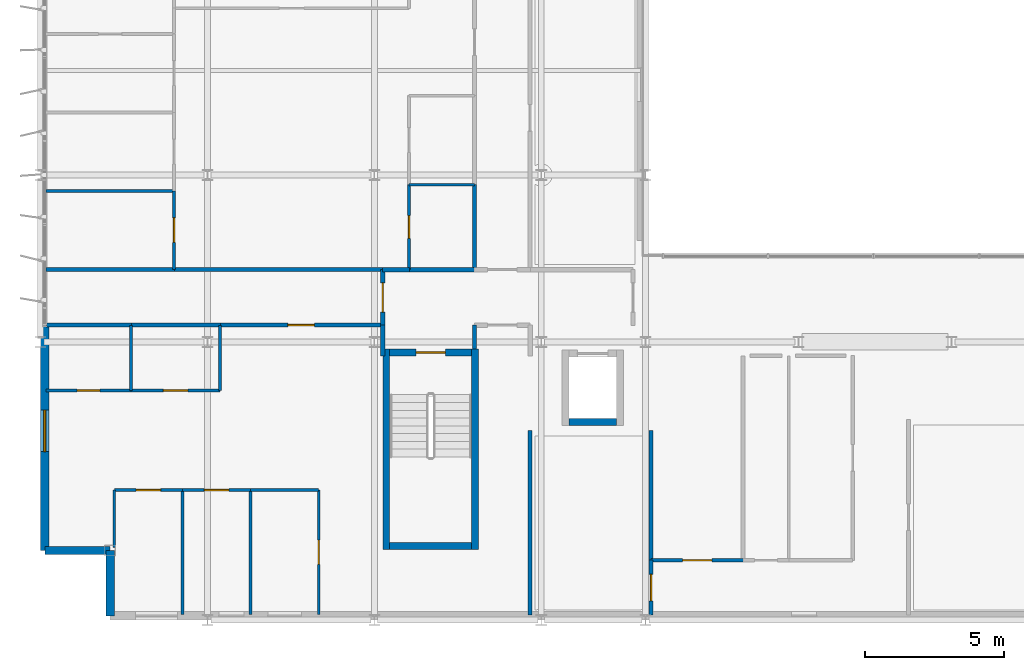
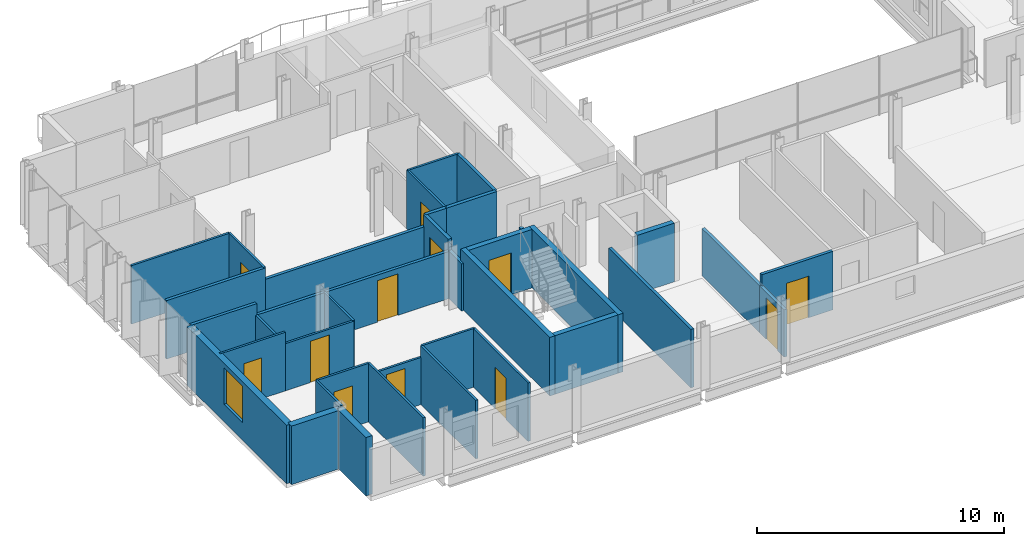
# One storey, part 28 of 38: 38 walls, 12 doors, 1 window, 13 openings.
"""IFC4 building model written with IfcOpenShell, lengths in metres."""

from ifc_helpers import new_model, si_unit, direction, frame, frame_2d, origin, place, context, subcontext, project, spatial, rectangle, extrude, material, layer, layer_set, type_object, element, fill, save


model = new_model("IFC4")

# Units and contexts
model_context = context("Model", 3, precision=1e-05, world=origin(), true_north=direction((0.0, 1.0)))
body_context = subcontext(model_context, "Body", "Model", "MODEL_VIEW")
ifc_project = project(units=[si_unit("LENGTHUNIT", "METRE"), si_unit("AREAUNIT", "SQUARE_METRE"), si_unit("VOLUMEUNIT", "CUBIC_METRE"), si_unit("PLANEANGLEUNIT", "RADIAN"), si_unit("MASSUNIT", "GRAM", prefix="KILO")], contexts=[model_context])

# Site, building, storey
site_placement = place(None, origin())
site = spatial("IfcSite", under=ifc_project, at=site_placement, CompositionType="ELEMENT")
building_placement = place(site_placement, origin())
building = spatial("IfcBuilding", under=site, at=building_placement, Name="Brevholm Reach", CompositionType="ELEMENT")
storey_placement = place(building_placement, frame((0.0, 0.0, 186.300048828125)))
storey = spatial("IfcBuildingStorey", under=building, at=storey_placement, Name="L56", CompositionType="ELEMENT", Elevation=186.300048828125)

# Walls
ifc_material_1 = material(Name="Concrete C45/55", Category="concrete")
ifc_layer_1 = layer(ifc_material_1, 0.239990234375)
ifc_layer_set_1 = layer_set([ifc_layer_1], Name="Concrete C45/55")
wall_type_1 = type_object("IfcWallType", Name="WAL-COR-240", PredefinedType="SHEAR", material=ifc_layer_set_1)
for number, where, z_axis, x_axis, name in (
    (1, (12.429931640625, 2.5400390625, 0.0), (0.0, 0.0, 1.0), (0.0, 1.0, 0.0), "L56 Escape Stair ST-1 Core Wall W"),
    (2, (15.6201171875, 2.5400390625, 0.0), (0.0, 0.0, 1.0), (0.0, 1.0, 0.0), "L56 Escape Stair ST-1 Core Wall E"),
):
    element("IfcWall", number, at=place(storey_placement, frame(where, z_axis=z_axis, x_axis=x_axis)), inside=storey, type_object=wall_type_1, Name=name, PredefinedType="SHEAR", context=body_context, shape_type="SweptSolid", body=[
        extrude(rectangle(XDim=7.199951171875, YDim=0.239990234375, at=frame_2d((3.60009765625, 0.0))), origin(), (0.0, 0.0, 1.0), 2.889892578125),
    ])
wall_1_placement = place(storey_placement, frame((12.550048828125, 2.659912109375, 0.0), z_axis=(0.0, 0.0, 1.0), x_axis=(1.0, 0.0, 0.0)))
element("IfcWall", 3, at=wall_1_placement, inside=storey, type_object=wall_type_1, Name="L56 Escape Stair ST-1 Core Wall S", PredefinedType="SHEAR", context=body_context, shape_type="SweptSolid", body=[
    extrude(rectangle(XDim=2.949951171875, YDim=0.239990234375, at=frame_2d((1.47509765625, 0.0))), origin(), (0.0, 0.0, 1.0), 2.889892578125),
])

# Wall, opening, door
wall_2_placement = place(storey_placement, frame((15.5, 9.6201171875, 0.0), z_axis=(0.0, 0.0, 1.0), x_axis=(-1.0, 0.0, 0.0)))
wall_2 = element("IfcWall", 4, at=wall_2_placement, inside=storey, type_object=wall_type_1, Name="L56 Escape Stair ST-1 Core Wall N", PredefinedType="SHEAR", context=body_context, shape_type="SweptSolid", body=[
    extrude(rectangle(XDim=2.949951171875, YDim=0.239990234375, at=frame_2d((1.47509765625, 0.0))), origin(), (0.0, 0.0, 1.0), 2.889892578125),
])
opening_1_placement = place(wall_2_placement, frame((0.949951171875, 0.0, 0.0)))
opening_1 = element("IfcOpeningElement", 5, at=opening_1_placement, cuts=wall_2, Name="Opening SD-ST-1", PredefinedType="OPENING", context=body_context, shape_type="SweptSolid", body=[
    extrude(rectangle(XDim=1.050048828125, YDim=2.06005859375, at=frame_2d((0.52490234375, 1.030029296875))), frame((0.0, 0.1298828125, 0.0), z_axis=(0.0, -1.0, 0.0), x_axis=(1.0, 0.0, 0.0)), (0.0, 0.0, 1.0), 0.260009765625),
])
ifc_material_2 = material(Name="Hardwood-Lipped Steel-Core Fire and Smoke Door", Category="steel")
door_type_1 = type_object("IfcDoorType", Name="DOR-INT-FD60S", OperationType="NOTDEFINED", PredefinedType="DOOR", material=ifc_material_2)
door_1_placement = place(opening_1_placement, origin())
door_1 = element("IfcDoor", 6, at=door_1_placement, inside=storey, type_object=door_type_1, Name="L56 Protected Stair ST-1 Lobby Door", OperationType="SINGLE_SWING_RIGHT", OverallHeight=2.06005859375, OverallWidth=1.050048828125, PredefinedType="DOOR", context=body_context, shape_type="SweptSolid", body=[
    extrude(rectangle(XDim=1.050048828125, YDim=2.06005859375, at=frame_2d((0.52490234375, 1.030029296875))), frame((0.0, 0.02490234375, 0.0), z_axis=(0.0, -1.0, 0.0), x_axis=(1.0, 0.0, 0.0)), (0.0, 0.0, 1.0), 0.050048828125),
])
fill(opening_1, door_1)

# Walls
wall_3_placement = place(storey_placement, frame((18.989990234375, 7.1201171875, 0.0), z_axis=(0.0, 0.0, 1.0), x_axis=(1.0, 0.0, 0.0)))
element("IfcWall", 7, at=wall_3_placement, inside=storey, type_object=wall_type_1, Name="L56 Lift FFL-1 Shaft Wall S", PredefinedType="SHEAR", context=body_context, shape_type="SweptSolid", body=[
    extrude(rectangle(XDim=1.719970703125, YDim=0.239990234375, at=frame_2d((0.85986328125, 0.0))), origin(), (0.0, 0.0, 1.0), 2.889892578125),
])
ifc_material_3 = material(Name="Concrete C40/50", Category="concrete")
ifc_layer_2 = layer(ifc_material_3, 0.300048828125)
ifc_layer_set_2 = layer_set([ifc_layer_2], Name="Concrete C40/50")
wall_type_2 = type_object("IfcWallType", Name="WAL-EXT-300", PredefinedType="STANDARD", material=ifc_layer_set_2)
for number, where, z_axis, x_axis, name in (
    (8, (2.5, 2.5, 0.0), (0.0, 0.0, 1.0), (0.0, -1.0, 0.0), "L56 Facade Wall WAL-L56-CSW1"),
    (9, (0.14990234375, 2.5, 0.0), (0.0, 0.0, 1.0), (1.0, 0.0, 0.0), "L56 Facade Wall WAL-L56-CSW2"),
):
    element("IfcWall", number, at=place(storey_placement, frame(where, z_axis=z_axis, x_axis=x_axis)), inside=storey, type_object=wall_type_2, Name=name, PredefinedType="STANDARD", context=body_context, shape_type="SweptSolid", body=[
        extrude(rectangle(XDim=2.35009765625, YDim=0.300048828125, at=frame_2d((1.175048828125, 0.0))), origin(), (0.0, 0.0, 1.0), 2.889892578125),
    ])

# Wall, opening, window
wall_4_placement = place(storey_placement, frame((0.14990234375, 10.550048828125, 0.0), z_axis=(0.0, 0.0, 1.0), x_axis=(0.0, -1.0, 0.0)))
wall_4 = element("IfcWall", 10, at=wall_4_placement, inside=storey, type_object=wall_type_2, Name="L56 Facade Wall WAL-L56-W-S", PredefinedType="STANDARD", context=body_context, shape_type="SweptSolid", body=[
    extrude(rectangle(XDim=8.050048828125, YDim=0.300048828125, at=frame_2d((4.02490234375, 0.0))), origin(), (0.0, 0.0, 1.0), 2.889892578125),
])
opening_2_placement = place(wall_4_placement, frame((3.0, 0.0, 0.8701171875)))
opening_2 = element("IfcOpeningElement", 11, at=opening_2_placement, cuts=wall_4, Name="Opening WN-05", PredefinedType="OPENING", context=body_context, shape_type="SweptSolid", body=[
    extrude(rectangle(XDim=1.5, YDim=1.800048828125, at=frame_2d((0.75, 0.89990234375))), frame((0.0, 0.159912109375, 0.0), z_axis=(0.0, -1.0, 0.0), x_axis=(1.0, 0.0, 0.0)), (0.0, 0.0, 1.0), 0.320068359375),
])
ifc_material_4 = material(Name="Dark Anodised Aluminium and Solar-Control IGU Glass", Category="aluminium")
window_type = type_object("IfcWindowType", Name="WIN-RES-1500", PartitioningType="SINGLE_PANEL", PredefinedType="WINDOW", material=ifc_material_4)
window_placement = place(opening_2_placement, origin())
window = element("IfcWindow", 12, at=window_placement, inside=storey, type_object=window_type, Name="L56 Window WIN-L56-WS-1", OverallHeight=1.800048828125, OverallWidth=1.5, PartitioningType="SINGLE_PANEL", PredefinedType="WINDOW", context=body_context, shape_type="SweptSolid", body=[
    extrude(rectangle(XDim=1.5, YDim=1.800048828125, at=frame_2d((0.75, 0.89990234375))), frame((0.0, 0.030029296875, 0.0), z_axis=(0.0, -1.0, 0.0), x_axis=(1.0, 0.0, 0.0)), (0.0, 0.0, 1.0), 0.06005859375),
])
fill(opening_2, window)

# Wall
ifc_material_5 = material(Name="Moisture-Resistant Acoustic Gypsum Stud Partition 100 mm", Category="gypsum")
ifc_layer_3 = layer(ifc_material_5, 0.10009765625)
ifc_layer_set_3 = layer_set([ifc_layer_3], Name="Moisture-Resistant Acoustic Gypsum Stud Partition 100 mm")
wall_type_3 = type_object("IfcWallType", Name="WAL-PRT-100", PredefinedType="PARTITIONING", material=ifc_layer_set_3)
wall_5_placement = place(storey_placement, frame((3.25, 8.25, 0.0), z_axis=(0.0, 0.0, 1.0), x_axis=(0.0, 1.0, 0.0)))
element("IfcWall", 13, at=wall_5_placement, inside=storey, type_object=wall_type_3, Name="L56 Internal Partition 059", PredefinedType="PARTITIONING", context=body_context, shape_type="SweptSolid", body=[
    extrude(rectangle(XDim=2.345947265625, YDim=0.10009765625, at=frame_2d((1.1728515625, 0.0))), origin(), (0.0, 0.0, 1.0), 2.325439453125),
])

# Wall, opening, door
wall_6_placement = place(storey_placement, frame((0.199951171875, 8.25, 0.0), z_axis=(0.0, 0.0, 1.0), x_axis=(1.0, 0.0, 0.0)))
wall_6 = element("IfcWall", 14, at=wall_6_placement, inside=storey, type_object=wall_type_3, Name="L56 Internal Partition 060", PredefinedType="PARTITIONING", context=body_context, shape_type="SweptSolid", body=[
    extrude(rectangle(XDim=3.050048828125, YDim=0.10009765625, at=frame_2d((1.52490234375, 0.0))), origin(), (0.0, 0.0, 1.0), 2.889892578125),
])
opening_3_placement = place(wall_6_placement, frame((1.114990234375, 0.0, 0.0)))
opening_3 = element("IfcOpeningElement", 15, at=opening_3_placement, cuts=wall_6, Name="Opening ID-03", PredefinedType="OPENING", context=body_context, shape_type="SweptSolid", body=[
    extrude(rectangle(XDim=0.820068359375, YDim=2.02001953125, at=frame_2d((0.41015625, 1.010009765625))), frame((0.0, 0.06005859375, 0.0), z_axis=(0.0, -1.0, 0.0), x_axis=(1.0, 0.0, 0.0)), (0.0, 0.0, 1.0), 0.1201171875),
])
ifc_material_6 = material(Name="Moisture-Resistant Painted Timber Internal Bathroom Door", Category="wood")
door_type_2 = type_object("IfcDoorType", Name="DOR-BATH-820", OperationType="NOTDEFINED", PredefinedType="DOOR", material=ifc_material_6)
door_2_placement = place(opening_3_placement, origin())
door_2 = element("IfcDoor", 16, at=door_2_placement, inside=storey, type_object=door_type_2, Name="L56 Internal Door 027", OperationType="SINGLE_SWING_RIGHT", OverallHeight=2.02001953125, OverallWidth=0.820068359375, PredefinedType="DOOR", context=body_context, shape_type="SweptSolid", body=[
    extrude(rectangle(XDim=0.820068359375, YDim=2.02001953125, at=frame_2d((0.41015625, 1.010009765625))), frame((0.0, 0.02490234375, 0.0), z_axis=(0.0, -1.0, 0.0), x_axis=(1.0, 0.0, 0.0)), (0.0, 0.0, 1.0), 0.050048828125),
])
fill(opening_3, door_2)

wall_7_placement = place(storey_placement, frame((3.25390625, 8.25, 0.0), z_axis=(0.0, 0.0, 1.0), x_axis=(1.0, 0.0, 0.0)))
wall_7 = element("IfcWall", 17, at=wall_7_placement, inside=storey, type_object=wall_type_3, Name="L56 Internal Partition 061", PredefinedType="PARTITIONING", context=body_context, shape_type="SweptSolid", body=[
    extrude(rectangle(XDim=3.196044921875, YDim=0.10009765625, at=frame_2d((1.59814453125, 0.0))), origin(), (0.0, 0.0, 1.0), 2.325439453125),
])
opening_4_placement = place(wall_7_placement, frame((1.157958984375, 0.0, 0.0)))
opening_4 = element("IfcOpeningElement", 18, at=opening_4_placement, cuts=wall_7, Name="Opening ID-01", PredefinedType="OPENING", context=body_context, shape_type="SweptSolid", body=[
    extrude(rectangle(XDim=0.8798828125, YDim=2.0400390625, at=frame_2d((0.43994140625, 1.02001953125))), frame((0.0, 0.06005859375, 0.0), z_axis=(0.0, -1.0, 0.0), x_axis=(1.0, 0.0, 0.0)), (0.0, 0.0, 1.0), 0.1201171875),
])
ifc_material_7 = material(Name="Lacquered Ash Solid-Core Acoustic Internal Door", Category="timber")
door_type_3 = type_object("IfcDoorType", Name="DOR-INT-880", OperationType="NOTDEFINED", PredefinedType="DOOR", material=ifc_material_7)
door_3_placement = place(opening_4_placement, origin())
door_3 = element("IfcDoor", 19, at=door_3_placement, inside=storey, type_object=door_type_3, Name="L56 Internal Door 028", OperationType="SINGLE_SWING_LEFT", OverallHeight=2.0400390625, OverallWidth=0.8798828125, PredefinedType="DOOR", context=body_context, shape_type="SweptSolid", body=[
    extrude(rectangle(XDim=0.8798828125, YDim=2.0400390625, at=frame_2d((0.43994140625, 1.02001953125))), frame((0.0, 0.02490234375, 0.0), z_axis=(0.0, -1.0, 0.0), x_axis=(1.0, 0.0, 0.0)), (0.0, 0.0, 1.0), 0.050048828125),
])
fill(opening_4, door_3)

# Walls
wall_8_placement = place(storey_placement, frame((6.449951171875, 8.25, 0.0), z_axis=(0.0, 0.0, 1.0), x_axis=(0.0, 1.0, 0.0)))
element("IfcWall", 20, at=wall_8_placement, inside=storey, type_object=wall_type_3, Name="L56 Internal Partition 062", PredefinedType="PARTITIONING", context=body_context, shape_type="SweptSolid", body=[
    extrude(rectangle(XDim=2.345947265625, YDim=0.10009765625, at=frame_2d((1.1728515625, 0.0))), origin(), (0.0, 0.0, 1.0), 2.325439453125),
])
wall_9_placement = place(storey_placement, frame((5.10009765625, 0.199951171875, 0.0), z_axis=(0.0, 0.0, 1.0), x_axis=(0.0, 1.0, 0.0)))
element("IfcWall", 21, at=wall_9_placement, inside=storey, type_object=wall_type_3, Name="L56 Internal Partition 063", PredefinedType="PARTITIONING", context=body_context, shape_type="SweptSolid", body=[
    extrude(rectangle(XDim=4.47216796875, YDim=0.10009765625, at=frame_2d((2.236083984375, 0.0))), origin(), (0.0, 0.0, 1.0), 2.889892578125),
])
wall_10_placement = place(storey_placement, frame((2.64990234375, 2.599365234375, 0.0), z_axis=(0.0, 0.0, 1.0), x_axis=(0.0, 1.0, 0.0)))
element("IfcWall", 22, at=wall_10_placement, inside=storey, type_object=wall_type_3, Name="L56 Internal Partition 064", PredefinedType="PARTITIONING", context=body_context, shape_type="SweptSolid", body=[
    extrude(rectangle(XDim=2.07275390625, YDim=0.10009765625, at=frame_2d((1.036376953125, 0.0))), origin(), (0.0, 0.0, 1.0), 2.889892578125),
])

# Wall, opening, door
wall_11_placement = place(storey_placement, frame((2.64990234375, 4.672119140625, 0.0), z_axis=(0.0, 0.0, 1.0), x_axis=(1.0, 0.0, 0.0)))
wall_11 = element("IfcWall", 23, at=wall_11_placement, inside=storey, type_object=wall_type_3, Name="L56 Internal Partition 065", PredefinedType="PARTITIONING", context=body_context, shape_type="SweptSolid", body=[
    extrude(rectangle(XDim=2.4501953125, YDim=0.10009765625, at=frame_2d((1.22509765625, 0.0))), origin(), (0.0, 0.0, 1.0), 2.889892578125),
])
opening_5_placement = place(wall_11_placement, frame((0.784912109375, 0.0, 0.0)))
opening_5 = element("IfcOpeningElement", 24, at=opening_5_placement, cuts=wall_11, Name="Opening ID-01", PredefinedType="OPENING", context=body_context, shape_type="SweptSolid", body=[
    extrude(rectangle(XDim=0.8798828125, YDim=2.0400390625, at=frame_2d((0.43994140625, 1.02001953125))), frame((0.0, 0.06005859375, 0.0), z_axis=(0.0, -1.0, 0.0), x_axis=(1.0, 0.0, 0.0)), (0.0, 0.0, 1.0), 0.1201171875),
])
door_4_placement = place(opening_5_placement, origin())
door_4 = element("IfcDoor", 25, at=door_4_placement, inside=storey, type_object=door_type_3, Name="L56 Internal Door 029", OperationType="SINGLE_SWING_RIGHT", OverallHeight=2.0400390625, OverallWidth=0.8798828125, PredefinedType="DOOR", context=body_context, shape_type="SweptSolid", body=[
    extrude(rectangle(XDim=0.8798828125, YDim=2.0400390625, at=frame_2d((0.43994140625, 1.02001953125))), frame((0.0, 0.02490234375, 0.0), z_axis=(0.0, -1.0, 0.0), x_axis=(1.0, 0.0, 0.0)), (0.0, 0.0, 1.0), 0.050048828125),
])
fill(opening_5, door_4)

# Wall
wall_12_placement = place(storey_placement, frame((7.550048828125, 0.199951171875, 0.0), z_axis=(0.0, 0.0, 1.0), x_axis=(0.0, 1.0, 0.0)))
element("IfcWall", 26, at=wall_12_placement, inside=storey, type_object=wall_type_3, Name="L56 Internal Partition 066", PredefinedType="PARTITIONING", context=body_context, shape_type="SweptSolid", body=[
    extrude(rectangle(XDim=4.47216796875, YDim=0.10009765625, at=frame_2d((2.236083984375, 0.0))), origin(), (0.0, 0.0, 1.0), 2.889892578125),
])

# Wall, opening, door
wall_13_placement = place(storey_placement, frame((5.10400390625, 4.672119140625, 0.0), z_axis=(0.0, 0.0, 1.0), x_axis=(1.0, 0.0, 0.0)))
wall_13 = element("IfcWall", 27, at=wall_13_placement, inside=storey, type_object=wall_type_3, Name="L56 Internal Partition 067", PredefinedType="PARTITIONING", context=body_context, shape_type="SweptSolid", body=[
    extrude(rectangle(XDim=2.446044921875, YDim=0.10009765625, at=frame_2d((1.22314453125, 0.0))), origin(), (0.0, 0.0, 1.0), 2.325439453125),
])
opening_6_placement = place(wall_13_placement, frame((0.782958984375, 0.0, 0.0)))
opening_6 = element("IfcOpeningElement", 28, at=opening_6_placement, cuts=wall_13, Name="Opening ID-01", PredefinedType="OPENING", context=body_context, shape_type="SweptSolid", body=[
    extrude(rectangle(XDim=0.8798828125, YDim=2.0400390625, at=frame_2d((0.43994140625, 1.02001953125))), frame((0.0, 0.06005859375, 0.0), z_axis=(0.0, -1.0, 0.0), x_axis=(1.0, 0.0, 0.0)), (0.0, 0.0, 1.0), 0.1201171875),
])
door_5_placement = place(opening_6_placement, origin())
door_5 = element("IfcDoor", 29, at=door_5_placement, inside=storey, type_object=door_type_3, Name="L56 Internal Door 030", OperationType="SINGLE_SWING_LEFT", OverallHeight=2.0400390625, OverallWidth=0.8798828125, PredefinedType="DOOR", context=body_context, shape_type="SweptSolid", body=[
    extrude(rectangle(XDim=0.8798828125, YDim=2.0400390625, at=frame_2d((0.43994140625, 1.02001953125))), frame((0.0, 0.02490234375, 0.0), z_axis=(0.0, -1.0, 0.0), x_axis=(1.0, 0.0, 0.0)), (0.0, 0.0, 1.0), 0.050048828125),
])
fill(opening_6, door_5)

wall_14_placement = place(storey_placement, frame((10.0, 0.199951171875, 0.0), z_axis=(0.0, 0.0, 1.0), x_axis=(0.0, 1.0, 0.0)))
wall_14 = element("IfcWall", 30, at=wall_14_placement, inside=storey, type_object=wall_type_3, Name="L56 Internal Partition 068", PredefinedType="PARTITIONING", context=body_context, shape_type="SweptSolid", body=[
    extrude(rectangle(XDim=4.47216796875, YDim=0.10009765625, at=frame_2d((2.236083984375, 0.0))), origin(), (0.0, 0.0, 1.0), 2.889892578125),
])
opening_7_placement = place(wall_14_placement, frame((1.7958984375, 0.0, 0.0)))
opening_7 = element("IfcOpeningElement", 31, at=opening_7_placement, cuts=wall_14, Name="Opening ID-01", PredefinedType="OPENING", context=body_context, shape_type="SweptSolid", body=[
    extrude(rectangle(XDim=0.8798828125, YDim=2.0400390625, at=frame_2d((0.43994140625, 1.02001953125))), frame((0.0, 0.06005859375, 0.0), z_axis=(0.0, -1.0, 0.0), x_axis=(1.0, 0.0, 0.0)), (0.0, 0.0, 1.0), 0.1201171875),
])
door_6_placement = place(opening_7_placement, origin())
door_6 = element("IfcDoor", 32, at=door_6_placement, inside=storey, type_object=door_type_3, Name="L56 Internal Door 031", OperationType="SINGLE_SWING_RIGHT", OverallHeight=2.0400390625, OverallWidth=0.8798828125, PredefinedType="DOOR", context=body_context, shape_type="SweptSolid", body=[
    extrude(rectangle(XDim=0.8798828125, YDim=2.0400390625, at=frame_2d((0.43994140625, 1.02001953125))), frame((0.0, 0.02490234375, 0.0), z_axis=(0.0, -1.0, 0.0), x_axis=(1.0, 0.0, 0.0)), (0.0, 0.0, 1.0), 0.050048828125),
])
fill(opening_7, door_6)

# Walls
wall_15_placement = place(storey_placement, frame((7.553955078125, 4.672119140625, 0.0), z_axis=(0.0, 0.0, 1.0), x_axis=(1.0, 0.0, 0.0)))
element("IfcWall", 33, at=wall_15_placement, inside=storey, type_object=wall_type_3, Name="L56 Internal Partition 069", PredefinedType="PARTITIONING", context=body_context, shape_type="SweptSolid", body=[
    extrude(rectangle(XDim=2.446044921875, YDim=0.10009765625, at=frame_2d((1.22314453125, 0.0))), origin(), (0.0, 0.0, 1.0), 2.889892578125),
])
wall_16_placement = place(storey_placement, frame((13.25, 15.64990234375, 0.0), z_axis=(0.0, 0.0, 1.0), x_axis=(1.0, 0.0, 0.0)))
element("IfcWall", 34, at=wall_16_placement, inside=storey, type_object=wall_type_3, Name="L56 Internal Partition 070", PredefinedType="PARTITIONING", context=body_context, shape_type="SweptSolid", body=[
    extrude(rectangle(XDim=2.345947265625, YDim=0.10009765625, at=frame_2d((1.1728515625, 0.0))), origin(), (0.0, 0.0, 1.0), 2.889892578125),
])

# Wall, opening, door
wall_17_placement = place(storey_placement, frame((13.25, 12.60400390625, 0.0), z_axis=(0.0, 0.0, 1.0), x_axis=(0.0, 1.0, 0.0)))
wall_17 = element("IfcWall", 35, at=wall_17_placement, inside=storey, type_object=wall_type_3, Name="L56 Internal Partition 071", PredefinedType="PARTITIONING", context=body_context, shape_type="SweptSolid", body=[
    extrude(rectangle(XDim=3.0458984375, YDim=0.10009765625, at=frame_2d((1.52294921875, 0.0))), origin(), (0.0, 0.0, 1.0), 2.889892578125),
])
opening_8_placement = place(wall_17_placement, frame((1.113037109375, 0.0, 0.0)))
opening_8 = element("IfcOpeningElement", 36, at=opening_8_placement, cuts=wall_17, Name="Opening ID-03", PredefinedType="OPENING", context=body_context, shape_type="SweptSolid", body=[
    extrude(rectangle(XDim=0.820068359375, YDim=2.02001953125, at=frame_2d((0.41015625, 1.010009765625))), frame((0.0, 0.06005859375, 0.0), z_axis=(0.0, -1.0, 0.0), x_axis=(1.0, 0.0, 0.0)), (0.0, 0.0, 1.0), 0.1201171875),
])
door_7_placement = place(opening_8_placement, origin())
door_7 = element("IfcDoor", 37, at=door_7_placement, inside=storey, type_object=door_type_2, Name="L56 Internal Door 032", OperationType="SINGLE_SWING_LEFT", OverallHeight=2.02001953125, OverallWidth=0.820068359375, PredefinedType="DOOR", context=body_context, shape_type="SweptSolid", body=[
    extrude(rectangle(XDim=0.820068359375, YDim=2.02001953125, at=frame_2d((0.41015625, 1.010009765625))), frame((0.0, 0.02490234375, 0.0), z_axis=(0.0, -1.0, 0.0), x_axis=(1.0, 0.0, 0.0)), (0.0, 0.0, 1.0), 0.050048828125),
])
fill(opening_8, door_7)

# Wall
wall_18_placement = place(storey_placement, frame((0.199951171875, 15.425048828125, 0.0), z_axis=(0.0, 0.0, 1.0), x_axis=(1.0, 0.0, 0.0)))
element("IfcWall", 38, at=wall_18_placement, inside=storey, type_object=wall_type_3, Name="L56 Internal Partition 077", PredefinedType="PARTITIONING", context=body_context, shape_type="SweptSolid", body=[
    extrude(rectangle(XDim=4.60009765625, YDim=0.10009765625, at=frame_2d((2.300048828125, 0.0))), origin(), (0.0, 0.0, 1.0), 2.889892578125),
])

# Wall, opening, door
wall_19_placement = place(storey_placement, frame((4.800048828125, 12.60400390625, 0.0), z_axis=(0.0, 0.0, 1.0), x_axis=(0.0, 1.0, 0.0)))
wall_19 = element("IfcWall", 39, at=wall_19_placement, inside=storey, type_object=wall_type_3, Name="L56 Internal Partition 078", PredefinedType="PARTITIONING", context=body_context, shape_type="SweptSolid", body=[
    extrude(rectangle(XDim=2.821044921875, YDim=0.10009765625, at=frame_2d((1.41064453125, 0.0))), origin(), (0.0, 0.0, 1.0), 2.889892578125),
])
opening_9_placement = place(wall_19_placement, frame((0.970458984375, 0.0, 0.0)))
opening_9 = element("IfcOpeningElement", 40, at=opening_9_placement, cuts=wall_19, Name="Opening ID-01", PredefinedType="OPENING", context=body_context, shape_type="SweptSolid", body=[
    extrude(rectangle(XDim=0.8798828125, YDim=2.0400390625, at=frame_2d((0.43994140625, 1.02001953125))), frame((0.0, 0.06005859375, 0.0), z_axis=(0.0, -1.0, 0.0), x_axis=(1.0, 0.0, 0.0)), (0.0, 0.0, 1.0), 0.1201171875),
])
door_8_placement = place(opening_9_placement, origin())
door_8 = element("IfcDoor", 41, at=door_8_placement, inside=storey, type_object=door_type_3, Name="L56 Internal Door 035", OperationType="SINGLE_SWING_RIGHT", OverallHeight=2.0400390625, OverallWidth=0.8798828125, PredefinedType="DOOR", context=body_context, shape_type="SweptSolid", body=[
    extrude(rectangle(XDim=0.8798828125, YDim=2.0400390625, at=frame_2d((0.43994140625, 1.02001953125))), frame((0.0, 0.02490234375, 0.0), z_axis=(0.0, -1.0, 0.0), x_axis=(1.0, 0.0, 0.0)), (0.0, 0.0, 1.0), 0.050048828125),
])
fill(opening_9, door_8)

ifc_material_8 = material(Name="Twin-Stud Acoustic Fire-Rated Gypsum Partition 140 mm", Category="gypsum")
ifc_layer_4 = layer(ifc_material_8, 0.139892578125)
ifc_layer_set_4 = layer_set([ifc_layer_4], Name="Twin-Stud Acoustic Fire-Rated Gypsum Partition 140 mm")
wall_type_4 = type_object("IfcWallType", Name="WAL-PRT-140", PredefinedType="PARTITIONING", material=ifc_layer_set_4)
wall_20_placement = place(storey_placement, frame((21.949951171875, 2.14990234375, 0.0), z_axis=(0.0, 0.0, 1.0), x_axis=(1.0, 0.0, 0.0)))
wall_20 = element("IfcWall", 42, at=wall_20_placement, inside=storey, type_object=wall_type_4, Name="L56 Internal Partition 003", PredefinedType="PARTITIONING", context=body_context, shape_type="SweptSolid", body=[
    extrude(rectangle(XDim=3.3212890625, YDim=0.139892578125, at=frame_2d((1.66064453125, 0.0))), origin(), (0.0, 0.0, 1.0), 2.889892578125),
])
opening_10_placement = place(wall_20_placement, frame((1.1357421875, 0.0, 0.0)))
opening_10 = element("IfcOpeningElement", 43, at=opening_10_placement, cuts=wall_20, Name="Opening FD-01", PredefinedType="OPENING", context=body_context, shape_type="SweptSolid", body=[
    extrude(rectangle(XDim=1.050048828125, YDim=2.06005859375, at=frame_2d((0.52490234375, 1.030029296875))), frame((0.0, 0.079833984375, 0.0), z_axis=(0.0, -1.0, 0.0), x_axis=(1.0, 0.0, 0.0)), (0.0, 0.0, 1.0), 0.159912109375),
])
door_9_placement = place(opening_10_placement, origin())
door_9 = element("IfcDoor", 44, at=door_9_placement, inside=storey, type_object=door_type_1, Name="L56 Internal Door 003", OperationType="SINGLE_SWING_RIGHT", OverallHeight=2.06005859375, OverallWidth=1.050048828125, PredefinedType="DOOR", context=body_context, shape_type="SweptSolid", body=[
    extrude(rectangle(XDim=1.050048828125, YDim=2.06005859375, at=frame_2d((0.52490234375, 1.030029296875))), frame((0.0, 0.02490234375, 0.0), z_axis=(0.0, -1.0, 0.0), x_axis=(1.0, 0.0, 0.0)), (0.0, 0.0, 1.0), 0.050048828125),
])
fill(opening_10, door_9)

wall_21_placement = place(storey_placement, frame((21.949951171875, 0.179931640625, 0.0), z_axis=(0.0, 0.0, 1.0), x_axis=(0.0, 1.0, 0.0)))
wall_21 = element("IfcWall", 45, at=wall_21_placement, inside=storey, type_object=wall_type_4, Name="L56 Internal Partition 006", PredefinedType="PARTITIONING", context=body_context, shape_type="SweptSolid", body=[
    extrude(rectangle(XDim=1.969970703125, YDim=0.139892578125, at=frame_2d((0.98486328125, 0.0))), origin(), (0.0, 0.0, 1.0), 2.331787109375),
])
opening_11_placement = place(wall_21_placement, frame((0.510009765625, 0.0, 0.0)))
opening_11 = element("IfcOpeningElement", 46, at=opening_11_placement, cuts=wall_21, Name="Opening ID-30", PredefinedType="OPENING", context=body_context, shape_type="SweptSolid", body=[
    extrude(rectangle(XDim=0.949951171875, YDim=2.050048828125, at=frame_2d((0.47509765625, 1.02490234375))), frame((0.0, 0.079833984375, 0.0), z_axis=(0.0, -1.0, 0.0), x_axis=(1.0, 0.0, 0.0)), (0.0, 0.0, 1.0), 0.159912109375),
])
ifc_material_9 = material(Name="European Oak Veneered Solid-Core Fire Entrance Door", Category="timber")
door_type_4 = type_object("IfcDoorType", Name="DOR-FLT-FD30S", OperationType="NOTDEFINED", PredefinedType="DOOR", material=ifc_material_9)
door_10_placement = place(opening_11_placement, origin())
door_10 = element("IfcDoor", 47, at=door_10_placement, inside=storey, type_object=door_type_4, Name="L56 Internal Door 005", OperationType="SINGLE_SWING_RIGHT", OverallHeight=2.050048828125, OverallWidth=0.949951171875, PredefinedType="DOOR", context=body_context, shape_type="SweptSolid", body=[
    extrude(rectangle(XDim=0.949951171875, YDim=2.050048828125, at=frame_2d((0.47509765625, 1.02490234375))), frame((0.0, 0.02490234375, 0.0), z_axis=(0.0, -1.0, 0.0), x_axis=(1.0, 0.0, 0.0)), (0.0, 0.0, 1.0), 0.050048828125),
])
fill(opening_11, door_10)

# Walls
wall_22_placement = place(storey_placement, frame((21.949951171875, 2.154052734375, 0.0), z_axis=(0.0, 0.0, 1.0), x_axis=(0.0, 1.0, 0.0)))
element("IfcWall", 48, at=wall_22_placement, inside=storey, type_object=wall_type_4, Name="L56 Internal Partition 008", PredefinedType="PARTITIONING", context=body_context, shape_type="SweptSolid", body=[
    extrude(rectangle(XDim=4.6572265625, YDim=0.139892578125, at=frame_2d((2.32861328125, 0.0))), origin(), (0.0, 0.0, 1.0), 2.331787109375),
])
wall_23_placement = place(storey_placement, frame((17.60009765625, 0.179931640625, 0.0), z_axis=(0.0, 0.0, 1.0), x_axis=(0.0, 1.0, 0.0)))
element("IfcWall", 49, at=wall_23_placement, inside=storey, type_object=wall_type_4, Name="L56 Internal Partition 014", PredefinedType="PARTITIONING", context=body_context, shape_type="SweptSolid", body=[
    extrude(rectangle(XDim=6.63134765625, YDim=0.139892578125, at=frame_2d((3.315673828125, 0.0))), origin(), (0.0, 0.0, 1.0), 2.889892578125),
])
wall_24_placement = place(storey_placement, frame((15.60009765625, 12.60400390625, 0.0), z_axis=(0.0, 0.0, 1.0), x_axis=(0.0, 1.0, 0.0)))
element("IfcWall", 50, at=wall_24_placement, inside=storey, type_object=wall_type_4, Name="L56 Internal Partition 041", PredefinedType="PARTITIONING", context=body_context, shape_type="SweptSolid", body=[
    extrude(rectangle(XDim=3.057373046875, YDim=0.139892578125, at=frame_2d((1.52880859375, 0.0))), origin(), (0.0, 0.0, 1.0), 2.889892578125),
])
wall_25_placement = place(storey_placement, frame((0.199951171875, 10.60009765625, 0.0), z_axis=(0.0, 0.0, 1.0), x_axis=(1.0, 0.0, 0.0)))
element("IfcWall", 51, at=wall_25_placement, inside=storey, type_object=wall_type_4, Name="L56 Internal Partition 054", PredefinedType="PARTITIONING", context=body_context, shape_type="SweptSolid", body=[
    extrude(rectangle(XDim=3.061279296875, YDim=0.139892578125, at=frame_2d((1.53076171875, 0.0))), origin(), (0.0, 0.0, 1.0), 2.889892578125),
])
wall_26_placement = place(storey_placement, frame((3.24267578125, 10.60009765625, 0.0), z_axis=(0.0, 0.0, 1.0), x_axis=(1.0, 0.0, 0.0)))
element("IfcWall", 52, at=wall_26_placement, inside=storey, type_object=wall_type_4, Name="L56 Internal Partition 055", PredefinedType="PARTITIONING", context=body_context, shape_type="SweptSolid", body=[
    extrude(rectangle(XDim=3.218505859375, YDim=0.139892578125, at=frame_2d((1.609375, 0.0))), origin(), (0.0, 0.0, 1.0), 2.325439453125),
])

# Wall, opening, door
wall_27_placement = place(storey_placement, frame((6.442626953125, 10.60009765625, 0.0), z_axis=(0.0, 0.0, 1.0), x_axis=(1.0, 0.0, 0.0)))
wall_27 = element("IfcWall", 53, at=wall_27_placement, inside=storey, type_object=wall_type_4, Name="L56 Internal Partition 056", PredefinedType="PARTITIONING", context=body_context, shape_type="SweptSolid", body=[
    extrude(rectangle(XDim=5.853271484375, YDim=0.139892578125, at=frame_2d((2.9267578125, 0.0))), origin(), (0.0, 0.0, 1.0), 2.325439453125),
])
opening_12_placement = place(wall_27_placement, frame((2.45166015625, 0.0, 0.0)))
opening_12 = element("IfcOpeningElement", 54, at=opening_12_placement, cuts=wall_27, Name="Opening ID-30", PredefinedType="OPENING", context=body_context, shape_type="SweptSolid", body=[
    extrude(rectangle(XDim=0.949951171875, YDim=2.050048828125, at=frame_2d((0.47509765625, 1.02490234375))), frame((0.0, 0.079833984375, 0.0), z_axis=(0.0, -1.0, 0.0), x_axis=(1.0, 0.0, 0.0)), (0.0, 0.0, 1.0), 0.159912109375),
])
door_11_placement = place(opening_12_placement, origin())
door_11 = element("IfcDoor", 55, at=door_11_placement, inside=storey, type_object=door_type_4, Name="L56 Internal Door 026", OperationType="SINGLE_SWING_LEFT", OverallHeight=2.050048828125, OverallWidth=0.949951171875, PredefinedType="DOOR", context=body_context, shape_type="SweptSolid", body=[
    extrude(rectangle(XDim=0.949951171875, YDim=2.050048828125, at=frame_2d((0.47509765625, 1.02490234375))), frame((0.0, 0.02490234375, 0.0), z_axis=(0.0, -1.0, 0.0), x_axis=(1.0, 0.0, 0.0)), (0.0, 0.0, 1.0), 0.050048828125),
])
fill(opening_12, door_11)

# Walls
wall_28_placement = place(storey_placement, frame((0.199951171875, 12.60009765625, 0.0), z_axis=(0.0, 0.0, 1.0), x_axis=(1.0, 0.0, 0.0)))
element("IfcWall", 56, at=wall_28_placement, inside=storey, type_object=wall_type_4, Name="L56 Internal Partition 057", PredefinedType="PARTITIONING", context=body_context, shape_type="SweptSolid", body=[
    extrude(rectangle(XDim=4.611328125, YDim=0.139892578125, at=frame_2d((2.3056640625, 0.0))), origin(), (0.0, 0.0, 1.0), 2.889892578125),
])
wall_29_placement = place(storey_placement, frame((4.792724609375, 12.60009765625, 0.0), z_axis=(0.0, 0.0, 1.0), x_axis=(1.0, 0.0, 0.0)))
element("IfcWall", 57, at=wall_29_placement, inside=storey, type_object=wall_type_4, Name="L56 Internal Partition 058", PredefinedType="PARTITIONING", context=body_context, shape_type="SweptSolid", body=[
    extrude(rectangle(XDim=7.503173828125, YDim=0.139892578125, at=frame_2d((3.75146484375, 0.0))), origin(), (0.0, 0.0, 1.0), 2.325439453125),
])
ifc_material_10 = material(Name="Twin-Frame Fire-Rated Gypsum Board and Mineral Wool 160 mm", Category="gypsum")
ifc_layer_5 = layer(ifc_material_10, 0.159912109375)
ifc_layer_set_5 = layer_set([ifc_layer_5], Name="Twin-Frame Fire-Rated Gypsum Board and Mineral Wool 160 mm")
wall_type_5 = type_object("IfcWallType", Name="WAL-PRT-160", PredefinedType="PARTITIONING", material=ifc_layer_set_5)
wall_30_placement = place(storey_placement, frame((15.60009765625, 9.75, 0.0), z_axis=(0.0, 0.0, 1.0), x_axis=(0.0, 1.0, 0.0)))
element("IfcWall", 58, at=wall_30_placement, inside=storey, type_object=wall_type_5, Name="L56 Internal Partition 015", PredefinedType="PARTITIONING", context=body_context, shape_type="SweptSolid", body=[
    extrude(rectangle(XDim=0.85009765625, YDim=0.159912109375, at=frame_2d((0.425048828125, 0.0))), origin(), (0.0, 0.0, 1.0), 2.325439453125),
])

# Wall, opening, door
wall_31_placement = place(storey_placement, frame((12.300048828125, 10.588623046875, 0.0), z_axis=(0.0, 0.0, 1.0), x_axis=(0.0, 1.0, 0.0)))
wall_31 = element("IfcWall", 59, at=wall_31_placement, inside=storey, type_object=wall_type_5, Name="L56 Internal Partition 029", PredefinedType="PARTITIONING", context=body_context, shape_type="SweptSolid", body=[
    extrude(rectangle(XDim=2.011474609375, YDim=0.159912109375, at=frame_2d((1.005859375, 0.0))), origin(), (0.0, 0.0, 1.0), 2.889892578125),
])
opening_13_placement = place(wall_31_placement, frame((0.480712890625, 0.0, 0.0)))
opening_13 = element("IfcOpeningElement", 60, at=opening_13_placement, cuts=wall_31, Name="Opening FD-01", PredefinedType="OPENING", context=body_context, shape_type="SweptSolid", body=[
    extrude(rectangle(XDim=1.050048828125, YDim=2.06005859375, at=frame_2d((0.52490234375, 1.030029296875))), frame((0.0, 0.08984375, 0.0), z_axis=(0.0, -1.0, 0.0), x_axis=(1.0, 0.0, 0.0)), (0.0, 0.0, 1.0), 0.179931640625),
])
door_12_placement = place(opening_13_placement, origin())
door_12 = element("IfcDoor", 61, at=door_12_placement, inside=storey, type_object=door_type_1, Name="L56 Internal Door 015", OperationType="SINGLE_SWING_RIGHT", OverallHeight=2.06005859375, OverallWidth=1.050048828125, PredefinedType="DOOR", context=body_context, shape_type="SweptSolid", body=[
    extrude(rectangle(XDim=1.050048828125, YDim=2.06005859375, at=frame_2d((0.52490234375, 1.030029296875))), frame((0.0, 0.02490234375, 0.0), z_axis=(0.0, -1.0, 0.0), x_axis=(1.0, 0.0, 0.0)), (0.0, 0.0, 1.0), 0.050048828125),
])
fill(opening_13, door_12)

# Walls
wall_32_placement = place(storey_placement, frame((12.300048828125, 9.5, 0.0), z_axis=(0.0, 0.0, 1.0), x_axis=(0.0, 1.0, 0.0)))
element("IfcWall", 62, at=wall_32_placement, inside=storey, type_object=wall_type_5, Name="L56 Internal Partition 030", PredefinedType="PARTITIONING", context=body_context, shape_type="SweptSolid", body=[
    extrude(rectangle(XDim=1.107421875, YDim=0.159912109375, at=frame_2d((0.5537109375, 0.0))), origin(), (0.0, 0.0, 1.0), 2.325439453125),
])
wall_33_placement = place(storey_placement, frame((13.23876953125, 12.60009765625, 0.0), z_axis=(0.0, 0.0, 1.0), x_axis=(1.0, 0.0, 0.0)))
element("IfcWall", 63, at=wall_33_placement, inside=storey, type_object=wall_type_5, Name="L56 Internal Partition 031", PredefinedType="PARTITIONING", context=body_context, shape_type="SweptSolid", body=[
    extrude(rectangle(XDim=2.36865234375, YDim=0.159912109375, at=frame_2d((1.184326171875, 0.0))), origin(), (0.0, 0.0, 1.0), 2.889892578125),
])
wall_34_placement = place(storey_placement, frame((12.300048828125, 12.60009765625, 0.0), z_axis=(0.0, 0.0, 1.0), x_axis=(1.0, 0.0, 0.0)))
element("IfcWall", 64, at=wall_34_placement, inside=storey, type_object=wall_type_5, Name="L56 Internal Partition 032", PredefinedType="PARTITIONING", context=body_context, shape_type="SweptSolid", body=[
    extrude(rectangle(XDim=0.957275390625, YDim=0.159912109375, at=frame_2d((0.478515625, 0.0))), origin(), (0.0, 0.0, 1.0), 2.889892578125),
])

save(model, "model.ifc")
